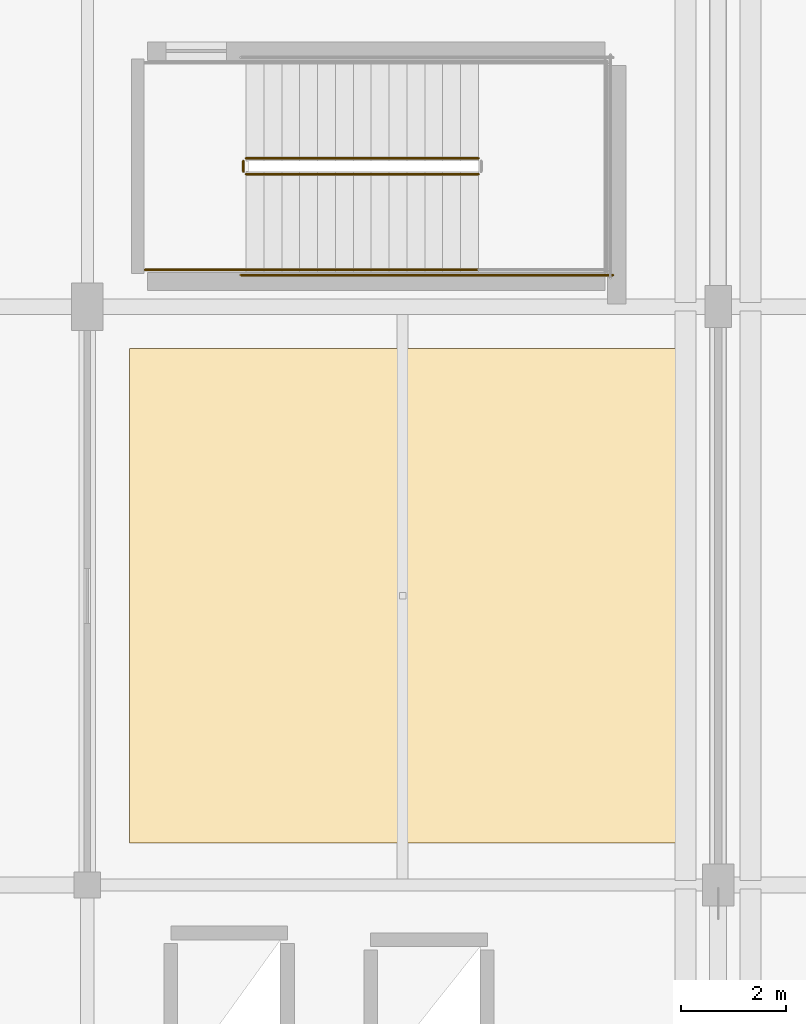
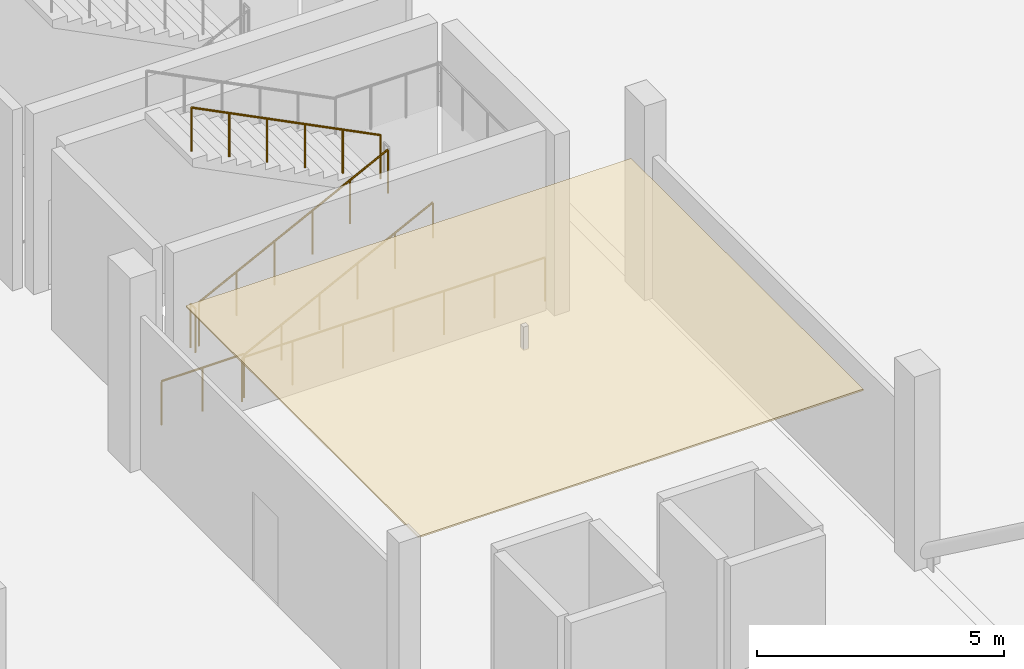
# One storey, part 133 of 143: 6 railings, 1 covering.
"""IFC4 building model written with IfcOpenShell, lengths in metres."""

import ifcopenshell
import ifcopenshell.guid

model = None  # the IFC model being written
_history = None  # IfcOwnerHistory: only IFC2X3 demands one
_inside = {}  # id of a spatial element -> (the spatial element, [elements in it])
_under = {}  # id of a project, library or spatial element -> (it, [spatial elements below it])
_declared = {}  # id of a project -> (the project, [libraries it declares])
_typed = {}  # id of a type object -> (the type object, [elements of that type])
_made_of = {}  # id of a material, layer set ... -> (it, [elements and type objects made of it])


def new_model(schema):
    """Start an empty IFC model of exactly this schema.

    Asked for "IFC4X3", IfcOpenShell would pick the latest addendum, in which some entities
    have other attributes; the version numbers below select the first issue.
    IFC2X3 requires an IfcOwnerHistory on every rooted entity: one is made here for all.
    """
    global model, _history
    if schema == "IFC4X3":
        model = ifcopenshell.file(schema_version=(4, 3, 0, 0))
    else:
        model = ifcopenshell.file(schema=schema)
    _inside.clear()
    _under.clear()
    _declared.clear()
    _typed.clear()
    _made_of.clear()
    _history = None
    if model.schema == "IFC2X3":
        org = make("IfcOrganization", Name="unknown")
        user = make(
            "IfcPersonAndOrganization",
            ThePerson=make("IfcPerson", FamilyName="unknown"),
            TheOrganization=org,
        )
        app = make(
            "IfcApplication",
            ApplicationDeveloper=org,
            Version="unknown",
            ApplicationFullName="unknown",
            ApplicationIdentifier="unknown",
        )
        _history = make(
            "IfcOwnerHistory",
            OwningUser=user,
            OwningApplication=app,
            ChangeAction="ADDED",
            CreationDate=0,
        )
    return model


def make(cls, **values):
    """One entity of the class cls with the attributes given. An attribute that is None is left unset."""
    return model.create_entity(
        cls, **{name: value for name, value in values.items() if value is not None}
    )


def rooted(cls, **values):
    """An entity with a GlobalId (a new one), such as an element, a storey or a relation."""
    return make(cls, GlobalId=ifcopenshell.guid.new(), OwnerHistory=_history, **values)


def si_unit(unit_type, name, prefix=None):
    """IfcSIUnit, for example si_unit("LENGTHUNIT", "METRE", prefix="MILLI")."""
    return make("IfcSIUnit", UnitType=unit_type, Prefix=prefix, Name=name)


def assignment(units):
    """IfcUnitAssignment: the units of a project."""
    return None if units is None else make("IfcUnitAssignment", Units=units)


def point(xyz):
    """IfcCartesianPoint."""
    return None if xyz is None else make("IfcCartesianPoint", Coordinates=xyz)


def direction(xyz):
    """IfcDirection."""
    return None if xyz is None else make("IfcDirection", DirectionRatios=xyz)


def frame(location, z_axis=None, x_axis=None):
    """IfcAxis2Placement3D, a coordinate frame: its origin and axes. An axis left out is left unset."""
    return make(
        "IfcAxis2Placement3D",
        Location=point(location),
        Axis=direction(z_axis),
        RefDirection=direction(x_axis),
    )


def frame_2d(location, x_axis=None):
    """IfcAxis2Placement2D, a coordinate frame in the plane: its origin and x axis."""
    return make(
        "IfcAxis2Placement2D", Location=point(location), RefDirection=direction(x_axis)
    )


def origin():
    """The frame at (0, 0, 0) with its axes left unset."""
    return frame((0.0, 0.0, 0.0))


def origin_2d():
    """The frame at (0, 0) in the plane with its x axis left unset."""
    return frame_2d((0.0, 0.0))


def place(relative_to, where):
    """IfcLocalPlacement: puts the frame where relative to a parent placement (None: the world)."""
    return make(
        "IfcLocalPlacement", PlacementRelTo=relative_to, RelativePlacement=where
    )


def context(
    kind, dimensions, precision=None, world=None, true_north=None, identifier=None
):
    """IfcGeometricRepresentationContext, for example the 3D "Model" context."""
    return make(
        "IfcGeometricRepresentationContext",
        ContextIdentifier=identifier,
        ContextType=kind,
        CoordinateSpaceDimension=dimensions,
        Precision=precision,
        WorldCoordinateSystem=world,
        TrueNorth=true_north,
    )


def subcontext(parent, identifier, kind, view, scale=None):
    """IfcGeometricRepresentationSubContext, for example "Body" below "Model"."""
    return make(
        "IfcGeometricRepresentationSubContext",
        ContextIdentifier=identifier,
        ContextType=kind,
        ParentContext=parent,
        TargetScale=scale,
        TargetView=view,
    )


def project(units=None, contexts=None):
    """IfcProject with its units and contexts."""
    return rooted(
        "IfcProject",
        Name="project",
        RepresentationContexts=contexts,
        UnitsInContext=assignment(units),
    )


def spatial(cls, under=None, at=None, **own):
    """A site, building, storey or space (cls), placed at a placement, below another one or the project."""
    s = rooted(cls, ObjectPlacement=at, **own)
    if under is not None:
        _under.setdefault(under.id(), (under, []))[1].append(s)
    return s


def polyline(points):
    """IfcPolyline through the points."""
    return make("IfcPolyline", Points=[point(p) for p in points])


def profile(cls, at=None, kind="AREA", **sizes):
    """A parametric profile (cls). Its sizes go by their IFC names, for example OverallWidth=200.0."""
    return make(cls, ProfileType=kind, Position=at, **sizes)


def circle(**sizes):
    """IfcCircleProfileDef."""
    return profile("IfcCircleProfileDef", **sizes)


def outline(outer, holes=None, kind="AREA"):
    """IfcArbitraryClosedProfileDef: a profile drawn as a closed curve; with holes, ...WithVoids."""
    if holes is None:
        return make("IfcArbitraryClosedProfileDef", ProfileType=kind, OuterCurve=outer)
    return make(
        "IfcArbitraryProfileDefWithVoids",
        ProfileType=kind,
        OuterCurve=outer,
        InnerCurves=holes,
    )


def extrude(swept, where, along, depth):
    """IfcExtrudedAreaSolid: the profile swept, set in the frame where, extruded along a direction by depth."""
    return make(
        "IfcExtrudedAreaSolid",
        SweptArea=swept,
        Position=where,
        ExtrudedDirection=direction(along),
        Depth=depth,
    )


def shape(context_of_items, identifier, shape_type, items):
    """IfcShapeRepresentation: the items that make up one representation, for example the "Body"."""
    return make(
        "IfcShapeRepresentation",
        ContextOfItems=context_of_items,
        RepresentationIdentifier=identifier,
        RepresentationType=shape_type,
        Items=items,
    )


def material(Name=None, Category=None):
    """IfcMaterial."""
    return make("IfcMaterial", Name=Name, Category=Category)


def layer(
    of_material, thickness, ventilated=None, Name=None, Category=None, Priority=None
):
    """IfcMaterialLayer: one layer of a wall or slab, of a material (None: an air gap)."""
    return make(
        "IfcMaterialLayer",
        Material=of_material,
        LayerThickness=thickness,
        IsVentilated=ventilated,
        Name=Name,
        Category=Category,
        Priority=Priority,
    )


def layer_set(layers, Name=None):
    """IfcMaterialLayerSet."""
    return make("IfcMaterialLayerSet", MaterialLayers=layers, LayerSetName=Name)


def made_of(thing, what):
    """Note that an element or type object is made of a material, layer set ...; save() writes the relation."""
    if what is not None:
        _made_of.setdefault(what.id(), (what, []))[1].append(thing)
    return thing


def type_object(cls, material=None, **own):
    """A type object (cls), such as IfcWallType, which elements share."""
    return made_of(rooted(cls, **own), material)


def element(
    cls,
    number,
    at=None,
    inside=None,
    cuts=None,
    type_object=None,
    material=None,
    context=None,
    identifier="Body",
    shape_type=None,
    held_by="IfcProductDefinitionShape",
    body=None,
    shapes=None,
    **own,
):
    """One element of the class cls, such as IfcWall. Its Tag is "e" and its number.

    at: its placement. inside: the storey or other place that contains it. cuts: it is an
    opening in that element (IfcRelVoidsElement). A single representation is given by context,
    identifier, shape_type and body (its items); several are given by shapes. held_by: the class
    of the entity that holds the representations. save() writes the other relations.
    """
    e = rooted(cls, Tag="e%d" % number, ObjectPlacement=at, **own)
    if body is not None:
        shapes = [shape(context, identifier, shape_type, body)]
    if shapes is not None:
        e.Representation = make(held_by, Representations=shapes)
    if inside is not None:
        _inside.setdefault(inside.id(), (inside, []))[1].append(e)
    if cuts is not None:
        rooted(
            "IfcRelVoidsElement", RelatingBuildingElement=cuts, RelatedOpeningElement=e
        )
    if type_object is not None:
        _typed.setdefault(type_object.id(), (type_object, []))[1].append(e)
    return made_of(e, material)


def aggregate(whole, parts):
    """IfcRelAggregates: a whole, such as a stair, and the parts it consists of."""
    return rooted("IfcRelAggregates", RelatingObject=whole, RelatedObjects=parts)


def save(model, path):
    """Write the relations noted so far, then the file.

    IfcRelAggregates (storeys below a building ...), IfcRelContainedInSpatialStructure (elements
    in a storey), IfcRelDefinesByType, IfcRelAssociatesMaterial and IfcRelDeclares: one each for
    every whole, place, type object, material and project.
    """
    for whole, parts in _under.values():
        aggregate(whole, parts)
    for where, things in _inside.values():
        rooted(
            "IfcRelContainedInSpatialStructure",
            RelatedElements=things,
            RelatingStructure=where,
        )
    for kind, things in _typed.values():
        rooted("IfcRelDefinesByType", RelatedObjects=things, RelatingType=kind)
    for what, things in _made_of.values():
        rooted("IfcRelAssociatesMaterial", RelatedObjects=things, RelatingMaterial=what)
    for by, libraries in _declared.values():
        rooted("IfcRelDeclares", RelatingContext=by, RelatedDefinitions=libraries)
    model.write(path)


model = new_model("IFC4")

# Units and contexts
model_context = context("Model", 3, precision=1e-05, world=origin(), true_north=direction((0.0, 1.0)))
body_context = subcontext(model_context, "Body", "Model", "MODEL_VIEW")
ifc_project = project(units=[si_unit("LENGTHUNIT", "METRE"), si_unit("AREAUNIT", "SQUARE_METRE"), si_unit("VOLUMEUNIT", "CUBIC_METRE"), si_unit("PLANEANGLEUNIT", "RADIAN"), si_unit("MASSUNIT", "GRAM", prefix="KILO")], contexts=[model_context])

# Site, building, storey
site_placement = place(None, origin())
site = spatial("IfcSite", under=ifc_project, at=site_placement, CompositionType="ELEMENT")
building_placement = place(site_placement, origin())
building = spatial("IfcBuilding", under=site, at=building_placement, Name="Luwafu Chhajja Arena", CompositionType="ELEMENT")
storey_placement = place(building_placement, frame((0.0, 0.0, 5.39990234375)))
storey = spatial("IfcBuildingStorey", under=building, at=storey_placement, Name="L01", CompositionType="ELEMENT", Elevation=5.39990234375)

# Covering
ifc_material_1 = material(Name="Acoustic gypsum ceiling board")
ifc_layer = layer(ifc_material_1, 0.0400390625, Name="Acoustic gypsum ceiling board")
ifc_layer_set = layer_set([ifc_layer], Name="Acoustic gypsum ceiling board")
covering_type = type_object("IfcCoveringType", Name="Perforated Acoustic Baffle Ceiling", PredefinedType="CEILING", material=ifc_layer_set)
covering_placement = place(storey_placement, frame((0.0, 0.0, 3.916015625)))
element("IfcCovering", 1, at=covering_placement, inside=storey, type_object=covering_type, Name="L01 Acoustic Baffle Ceiling 036", PredefinedType="CEILING", context=body_context, shape_type="SweptSolid", body=[
    extrude(outline(polyline([(152.800048828125, 33.800048828125), (163.199951171875, 33.800048828125), (163.199951171875, 43.199951171875), (152.800048828125, 43.199951171875), (152.800048828125, 33.800048828125)])), origin(), (0.0, 0.0, 1.0), 0.0400390625),
])

# Railings
ifc_material_2 = material(Name="Stainless steel handrail", Category="steel")
railing_type_1 = type_object("IfcRailingType", Name="Stair Pitch Wall Handrail 920", PredefinedType="HANDRAIL", material=ifc_material_2)
railing_1_placement = place(storey_placement, frame((155.02001953125, 44.699951171875, 0.171630859375)))
element("IfcRailing", 2, at=railing_1_placement, inside=storey, type_object=railing_type_1, Name="L01 ST-11 stair handrail 1", PredefinedType="HANDRAIL", context=body_context, shape_type="SweptSolid", body=[
    extrude(circle(Radius=0.02392578125, at=origin_2d()), frame((0.0, 0.0, 0.8759765625), z_axis=(0.89292277971, 0.0, 0.450209850486), x_axis=(0.0, 1.0, 0.0)), (0.0, 0.0, 1.0), 4.949951171875),
    extrude(circle(Radius=0.02099609375, at=origin_2d()), origin(), (0.0, 0.0, 1.0), 0.851806640625),
    extrude(circle(Radius=0.02099609375, at=origin_2d()), frame((0.884033203125, 0.0, 0.44580078125)), (0.0, 0.0, 1.0), 0.851806640625),
    extrude(circle(Radius=0.02099609375, at=origin_2d()), frame((1.76806640625, 0.0, 0.891357421875)), (0.0, 0.0, 1.0), 0.851806640625),
    extrude(circle(Radius=0.02099609375, at=origin_2d()), frame((2.65185546875, 0.0, 1.337158203125)), (0.0, 0.0, 1.0), 0.851806640625),
    extrude(circle(Radius=0.02099609375, at=origin_2d()), frame((3.535888671875, 0.0, 1.78271484375)), (0.0, 0.0, 1.0), 0.851806640625),
    extrude(circle(Radius=0.02099609375, at=origin_2d()), frame((4.419921875, 0.0, 2.228515625)), (0.0, 0.0, 1.0), 0.851806640625),
])
ifc_material_3 = material(Name="Stainless steel balustrade", Category="steel")
railing_type_2 = type_object("IfcRailingType", Name="Stair and Terrace Guard Balustrade 1100", PredefinedType="BALUSTRADE", material=ifc_material_3)
railing_2_placement = place(storey_placement, frame((155.02001953125, 46.52001953125, 0.171630859375)))
element("IfcRailing", 3, at=railing_2_placement, inside=storey, type_object=railing_type_2, Name="L01 ST-11 stair guard 1", PredefinedType="BALUSTRADE", context=body_context, shape_type="SweptSolid", body=[
    extrude(circle(Radius=0.02392578125, at=origin_2d()), frame((0.0, 0.0, 1.076171875), z_axis=(0.89292277971, 0.0, 0.450209850486), x_axis=(0.0, 1.0, 0.0)), (0.0, 0.0, 1.0), 4.949951171875),
    extrude(circle(Radius=0.02099609375, at=origin_2d()), origin(), (0.0, 0.0, 1.0), 1.052001953125),
    extrude(circle(Radius=0.02099609375, at=origin_2d()), frame((0.884033203125, 0.0, 0.44580078125)), (0.0, 0.0, 1.0), 1.052001953125),
    extrude(circle(Radius=0.02099609375, at=origin_2d()), frame((1.76806640625, 0.0, 0.891357421875)), (0.0, 0.0, 1.0), 1.052001953125),
    extrude(circle(Radius=0.02099609375, at=origin_2d()), frame((2.65185546875, 0.0, 1.337158203125)), (0.0, 0.0, 1.0), 1.052001953125),
    extrude(circle(Radius=0.02099609375, at=origin_2d()), frame((3.535888671875, 0.0, 1.78271484375)), (0.0, 0.0, 1.0), 1.052001953125),
    extrude(circle(Radius=0.02099609375, at=origin_2d()), frame((4.419921875, 0.0, 2.228515625)), (0.0, 0.0, 1.0), 1.052001953125),
])
railing_3_placement = place(storey_placement, frame((159.43994140625, 46.820068359375, 2.571533203125)))
element("IfcRailing", 4, at=railing_3_placement, inside=storey, type_object=railing_type_2, Name="L01 ST-11 stair guard 6", PredefinedType="BALUSTRADE", context=body_context, shape_type="SweptSolid", body=[
    extrude(circle(Radius=0.02392578125, at=origin_2d()), frame((0.0, 0.0, 1.076171875), z_axis=(-0.89292277971, 0.0, 0.450209850486), x_axis=(0.0, -1.0, 0.0)), (0.0, 0.0, 1.0), 4.949951171875),
    extrude(circle(Radius=0.02099609375, at=origin_2d()), origin(), (0.0, 0.0, 1.0), 1.052001953125),
    extrude(circle(Radius=0.02099609375, at=origin_2d()), frame((-0.884033203125, 0.0, 0.44580078125)), (0.0, 0.0, 1.0), 1.052001953125),
    extrude(circle(Radius=0.02099609375, at=origin_2d()), frame((-1.76806640625, 0.0, 0.891357421875)), (0.0, 0.0, 1.0), 1.052001953125),
    extrude(circle(Radius=0.02099609375, at=origin_2d()), frame((-2.65185546875, 0.0, 1.337158203125)), (0.0, 0.0, 1.0), 1.052001953125),
    extrude(circle(Radius=0.02099609375, at=origin_2d()), frame((-3.535888671875, 0.0, 1.78271484375)), (0.0, 0.0, 1.0), 1.052001953125),
    extrude(circle(Radius=0.02099609375, at=origin_2d()), frame((-4.419921875, 0.0, 2.228515625)), (0.0, 0.0, 1.0), 1.052001953125),
])
railing_4_placement = place(storey_placement, frame((154.969970703125, 46.570068359375, 0.0)))
element("IfcRailing", 5, at=railing_4_placement, inside=storey, type_object=railing_type_2, Name="L01 ST-11 stair guard 7", PredefinedType="BALUSTRADE", context=body_context, shape_type="SweptSolid", body=[
    extrude(circle(Radius=0.02392578125, at=origin_2d()), frame((0.0, 0.0, 1.076171875), z_axis=(0.0, 1.0, 0.0), x_axis=(-1.0, 0.0, 0.0)), (0.0, 0.0, 1.0), 0.199951171875),
    extrude(circle(Radius=0.02099609375, at=origin_2d()), origin(), (0.0, 0.0, 1.0), 1.052001953125),
    extrude(circle(Radius=0.02099609375, at=origin_2d()), frame((0.0, 0.199951171875, 0.0)), (0.0, 0.0, 1.0), 1.052001953125),
])
railing_5_placement = place(storey_placement, frame((153.10009765625, 44.699951171875, 0.0)))
element("IfcRailing", 6, at=railing_5_placement, inside=storey, type_object=railing_type_2, Name="L01 ST-11 stair guard 8", PredefinedType="BALUSTRADE", context=body_context, shape_type="SweptSolid", body=[
    extrude(circle(Radius=0.02392578125, at=origin_2d()), frame((0.0, 0.0, 1.076171875), z_axis=(1.0, 0.0, 0.0), x_axis=(0.0, 1.0, 0.0)), (0.0, 0.0, 1.0), 1.919921875),
    extrude(circle(Radius=0.02099609375, at=origin_2d()), origin(), (0.0, 0.0, 1.0), 1.052001953125),
    extrude(circle(Radius=0.02099609375, at=origin_2d()), frame((0.9599609375, 0.0, 0.0)), (0.0, 0.0, 1.0), 1.052001953125),
    extrude(circle(Radius=0.02099609375, at=origin_2d()), frame((1.919921875, 0.0, 0.0)), (0.0, 0.0, 1.0), 1.052001953125),
])
railing_6_placement = place(storey_placement, frame((154.919921875, 44.60009765625, 0.0)))
element("IfcRailing", 7, at=railing_6_placement, inside=storey, type_object=railing_type_2, Name="L01 ST-11 stair guard 10", PredefinedType="BALUSTRADE", context=body_context, shape_type="SweptSolid", body=[
    extrude(circle(Radius=0.02392578125, at=origin_2d()), frame((0.0, 0.0, 1.076171875), z_axis=(1.0, 0.0, 0.0), x_axis=(0.0, 1.0, 0.0)), (0.0, 0.0, 1.0), 7.080078125),
    extrude(circle(Radius=0.02099609375, at=origin_2d()), origin(), (0.0, 0.0, 1.0), 1.052001953125),
    extrude(circle(Radius=0.02099609375, at=origin_2d()), frame((1.179931640625, 0.0, 0.0)), (0.0, 0.0, 1.0), 1.052001953125),
    extrude(circle(Radius=0.02099609375, at=origin_2d()), frame((2.360107421875, 0.0, 0.0)), (0.0, 0.0, 1.0), 1.052001953125),
    extrude(circle(Radius=0.02099609375, at=origin_2d()), frame((3.5400390625, 0.0, 0.0)), (0.0, 0.0, 1.0), 1.052001953125),
    extrude(circle(Radius=0.02099609375, at=origin_2d()), frame((4.719970703125, 0.0, 0.0)), (0.0, 0.0, 1.0), 1.052001953125),
    extrude(circle(Radius=0.02099609375, at=origin_2d()), frame((5.900146484375, 0.0, 0.0)), (0.0, 0.0, 1.0), 1.052001953125),
    extrude(circle(Radius=0.02099609375, at=origin_2d()), frame((7.080078125, 0.0, 0.0)), (0.0, 0.0, 1.0), 1.052001953125),
])

save(model, "model.ifc")
